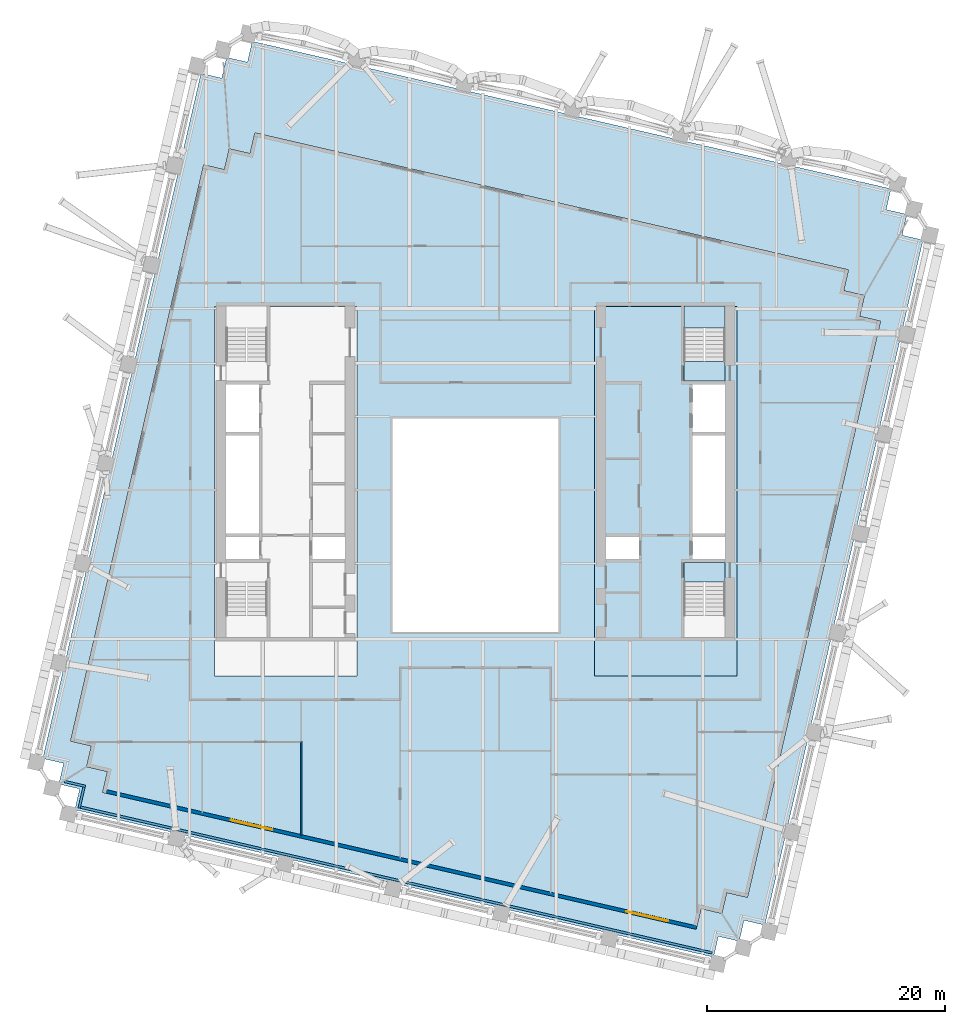
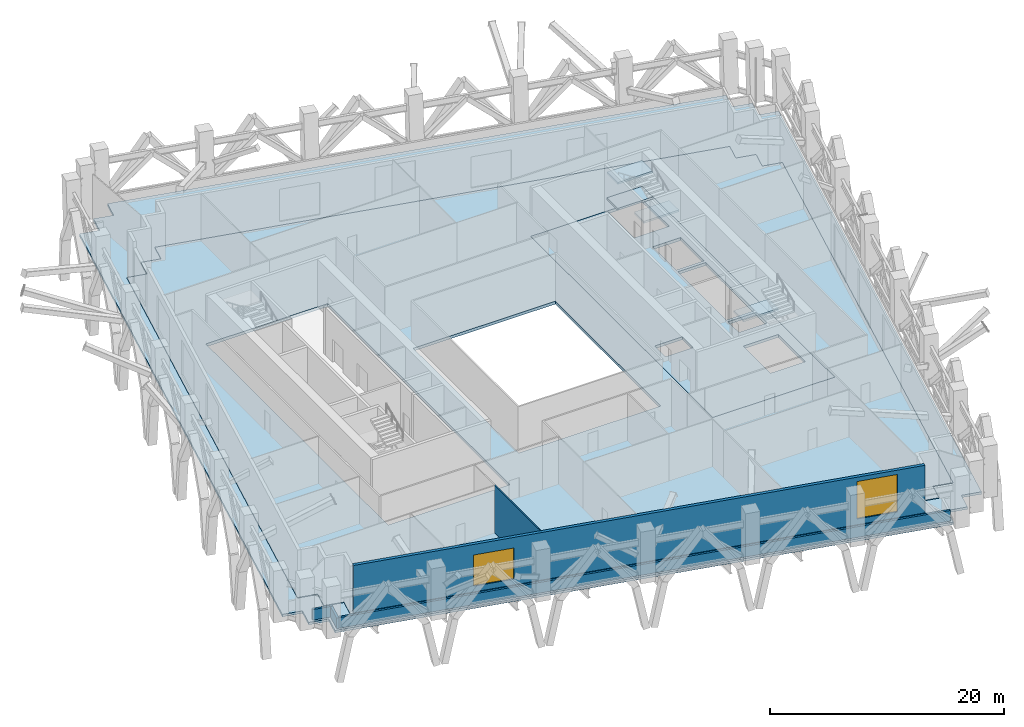
# One storey, part 5 of 20: 7 slabs, 5 walls, 2 windows, 2 openings, 2 elements without a shape of their own.
"""IFC4 building model written with IfcOpenShell, lengths in metres."""

import ifcopenshell
import ifcopenshell.guid

model = None  # the IFC model being written
_history = None  # IfcOwnerHistory: only IFC2X3 demands one
_inside = {}  # id of a spatial element -> (the spatial element, [elements in it])
_under = {}  # id of a project, library or spatial element -> (it, [spatial elements below it])
_declared = {}  # id of a project -> (the project, [libraries it declares])
_typed = {}  # id of a type object -> (the type object, [elements of that type])
_made_of = {}  # id of a material, layer set ... -> (it, [elements and type objects made of it])


def new_model(schema):
    """Start an empty IFC model of exactly this schema.

    Asked for "IFC4X3", IfcOpenShell would pick the latest addendum, in which some entities
    have other attributes; the version numbers below select the first issue.
    IFC2X3 requires an IfcOwnerHistory on every rooted entity: one is made here for all.
    """
    global model, _history
    if schema == "IFC4X3":
        model = ifcopenshell.file(schema_version=(4, 3, 0, 0))
    else:
        model = ifcopenshell.file(schema=schema)
    _inside.clear()
    _under.clear()
    _declared.clear()
    _typed.clear()
    _made_of.clear()
    _history = None
    if model.schema == "IFC2X3":
        org = make("IfcOrganization", Name="unknown")
        user = make(
            "IfcPersonAndOrganization",
            ThePerson=make("IfcPerson", FamilyName="unknown"),
            TheOrganization=org,
        )
        app = make(
            "IfcApplication",
            ApplicationDeveloper=org,
            Version="unknown",
            ApplicationFullName="unknown",
            ApplicationIdentifier="unknown",
        )
        _history = make(
            "IfcOwnerHistory",
            OwningUser=user,
            OwningApplication=app,
            ChangeAction="ADDED",
            CreationDate=0,
        )
    return model


def make(cls, **values):
    """One entity of the class cls with the attributes given. An attribute that is None is left unset."""
    return model.create_entity(
        cls, **{name: value for name, value in values.items() if value is not None}
    )


def rooted(cls, **values):
    """An entity with a GlobalId (a new one), such as an element, a storey or a relation."""
    return make(cls, GlobalId=ifcopenshell.guid.new(), OwnerHistory=_history, **values)


def si_unit(unit_type, name, prefix=None):
    """IfcSIUnit, for example si_unit("LENGTHUNIT", "METRE", prefix="MILLI")."""
    return make("IfcSIUnit", UnitType=unit_type, Prefix=prefix, Name=name)


def assignment(units):
    """IfcUnitAssignment: the units of a project."""
    return None if units is None else make("IfcUnitAssignment", Units=units)


def point(xyz):
    """IfcCartesianPoint."""
    return None if xyz is None else make("IfcCartesianPoint", Coordinates=xyz)


def direction(xyz):
    """IfcDirection."""
    return None if xyz is None else make("IfcDirection", DirectionRatios=xyz)


def frame(location, z_axis=None, x_axis=None):
    """IfcAxis2Placement3D, a coordinate frame: its origin and axes. An axis left out is left unset."""
    return make(
        "IfcAxis2Placement3D",
        Location=point(location),
        Axis=direction(z_axis),
        RefDirection=direction(x_axis),
    )


def frame_2d(location, x_axis=None):
    """IfcAxis2Placement2D, a coordinate frame in the plane: its origin and x axis."""
    return make(
        "IfcAxis2Placement2D", Location=point(location), RefDirection=direction(x_axis)
    )


def origin():
    """The frame at (0, 0, 0) with its axes left unset."""
    return frame((0.0, 0.0, 0.0))


def place(relative_to, where):
    """IfcLocalPlacement: puts the frame where relative to a parent placement (None: the world)."""
    return make(
        "IfcLocalPlacement", PlacementRelTo=relative_to, RelativePlacement=where
    )


def context(
    kind, dimensions, precision=None, world=None, true_north=None, identifier=None
):
    """IfcGeometricRepresentationContext, for example the 3D "Model" context."""
    return make(
        "IfcGeometricRepresentationContext",
        ContextIdentifier=identifier,
        ContextType=kind,
        CoordinateSpaceDimension=dimensions,
        Precision=precision,
        WorldCoordinateSystem=world,
        TrueNorth=true_north,
    )


def subcontext(parent, identifier, kind, view, scale=None):
    """IfcGeometricRepresentationSubContext, for example "Body" below "Model"."""
    return make(
        "IfcGeometricRepresentationSubContext",
        ContextIdentifier=identifier,
        ContextType=kind,
        ParentContext=parent,
        TargetScale=scale,
        TargetView=view,
    )


def project(units=None, contexts=None):
    """IfcProject with its units and contexts."""
    return rooted(
        "IfcProject",
        Name="project",
        RepresentationContexts=contexts,
        UnitsInContext=assignment(units),
    )


def spatial(cls, under=None, at=None, **own):
    """A site, building, storey or space (cls), placed at a placement, below another one or the project."""
    s = rooted(cls, ObjectPlacement=at, **own)
    if under is not None:
        _under.setdefault(under.id(), (under, []))[1].append(s)
    return s


def polyline(points):
    """IfcPolyline through the points."""
    return make("IfcPolyline", Points=[point(p) for p in points])


def profile(cls, at=None, kind="AREA", **sizes):
    """A parametric profile (cls). Its sizes go by their IFC names, for example OverallWidth=200.0."""
    return make(cls, ProfileType=kind, Position=at, **sizes)


def rectangle(**sizes):
    """IfcRectangleProfileDef."""
    return profile("IfcRectangleProfileDef", **sizes)


def outline(outer, holes=None, kind="AREA"):
    """IfcArbitraryClosedProfileDef: a profile drawn as a closed curve; with holes, ...WithVoids."""
    if holes is None:
        return make("IfcArbitraryClosedProfileDef", ProfileType=kind, OuterCurve=outer)
    return make(
        "IfcArbitraryProfileDefWithVoids",
        ProfileType=kind,
        OuterCurve=outer,
        InnerCurves=holes,
    )


def extrude(swept, where, along, depth):
    """IfcExtrudedAreaSolid: the profile swept, set in the frame where, extruded along a direction by depth."""
    return make(
        "IfcExtrudedAreaSolid",
        SweptArea=swept,
        Position=where,
        ExtrudedDirection=direction(along),
        Depth=depth,
    )


def shape(context_of_items, identifier, shape_type, items):
    """IfcShapeRepresentation: the items that make up one representation, for example the "Body"."""
    return make(
        "IfcShapeRepresentation",
        ContextOfItems=context_of_items,
        RepresentationIdentifier=identifier,
        RepresentationType=shape_type,
        Items=items,
    )


def material(Name=None, Category=None):
    """IfcMaterial."""
    return make("IfcMaterial", Name=Name, Category=Category)


def layer(
    of_material, thickness, ventilated=None, Name=None, Category=None, Priority=None
):
    """IfcMaterialLayer: one layer of a wall or slab, of a material (None: an air gap)."""
    return make(
        "IfcMaterialLayer",
        Material=of_material,
        LayerThickness=thickness,
        IsVentilated=ventilated,
        Name=Name,
        Category=Category,
        Priority=Priority,
    )


def layer_set(layers, Name=None):
    """IfcMaterialLayerSet."""
    return make("IfcMaterialLayerSet", MaterialLayers=layers, LayerSetName=Name)


def made_of(thing, what):
    """Note that an element or type object is made of a material, layer set ...; save() writes the relation."""
    if what is not None:
        _made_of.setdefault(what.id(), (what, []))[1].append(thing)
    return thing


def type_object(cls, material=None, **own):
    """A type object (cls), such as IfcWallType, which elements share."""
    return made_of(rooted(cls, **own), material)


def element(
    cls,
    number,
    at=None,
    inside=None,
    cuts=None,
    type_object=None,
    material=None,
    context=None,
    identifier="Body",
    shape_type=None,
    held_by="IfcProductDefinitionShape",
    body=None,
    shapes=None,
    **own,
):
    """One element of the class cls, such as IfcWall. Its Tag is "e" and its number.

    at: its placement. inside: the storey or other place that contains it. cuts: it is an
    opening in that element (IfcRelVoidsElement). A single representation is given by context,
    identifier, shape_type and body (its items); several are given by shapes. held_by: the class
    of the entity that holds the representations. save() writes the other relations.
    """
    e = rooted(cls, Tag="e%d" % number, ObjectPlacement=at, **own)
    if body is not None:
        shapes = [shape(context, identifier, shape_type, body)]
    if shapes is not None:
        e.Representation = make(held_by, Representations=shapes)
    if inside is not None:
        _inside.setdefault(inside.id(), (inside, []))[1].append(e)
    if cuts is not None:
        rooted(
            "IfcRelVoidsElement", RelatingBuildingElement=cuts, RelatedOpeningElement=e
        )
    if type_object is not None:
        _typed.setdefault(type_object.id(), (type_object, []))[1].append(e)
    return made_of(e, material)


def fill(opening, filler):
    """IfcRelFillsElement: the door or window that sits in an opening."""
    return rooted(
        "IfcRelFillsElement",
        RelatingOpeningElement=opening,
        RelatedBuildingElement=filler,
    )


def aggregate(whole, parts):
    """IfcRelAggregates: a whole, such as a stair, and the parts it consists of."""
    return rooted("IfcRelAggregates", RelatingObject=whole, RelatedObjects=parts)


def save(model, path):
    """Write the relations noted so far, then the file.

    IfcRelAggregates (storeys below a building ...), IfcRelContainedInSpatialStructure (elements
    in a storey), IfcRelDefinesByType, IfcRelAssociatesMaterial and IfcRelDeclares: one each for
    every whole, place, type object, material and project.
    """
    for whole, parts in _under.values():
        aggregate(whole, parts)
    for where, things in _inside.values():
        rooted(
            "IfcRelContainedInSpatialStructure",
            RelatedElements=things,
            RelatingStructure=where,
        )
    for kind, things in _typed.values():
        rooted("IfcRelDefinesByType", RelatedObjects=things, RelatingType=kind)
    for what, things in _made_of.values():
        rooted("IfcRelAssociatesMaterial", RelatedObjects=things, RelatingMaterial=what)
    for by, libraries in _declared.values():
        rooted("IfcRelDeclares", RelatingContext=by, RelatedDefinitions=libraries)
    model.write(path)


model = new_model("IFC4")

# Units and contexts
model_context = context("Model", 3, precision=1e-05, world=origin(), true_north=direction((0.0, 1.0)))
body_context = subcontext(model_context, "Body", "Model", "MODEL_VIEW")
ifc_project = project(units=[si_unit("LENGTHUNIT", "METRE"), si_unit("AREAUNIT", "SQUARE_METRE"), si_unit("VOLUMEUNIT", "CUBIC_METRE"), si_unit("PLANEANGLEUNIT", "RADIAN"), si_unit("MASSUNIT", "GRAM", prefix="KILO")], contexts=[model_context])

# Site, building, storey
site_placement = place(None, origin())
site = spatial("IfcSite", under=ifc_project, at=site_placement, CompositionType="ELEMENT")
building_placement = place(site_placement, origin())
building = spatial("IfcBuilding", under=site, at=building_placement, Name="Ogive Exchange Tower", CompositionType="ELEMENT")
storey_placement = place(building_placement, frame((0.0, 0.0, 160.199951171875)))
storey = spatial("IfcBuildingStorey", under=building, at=storey_placement, Name="L35", CompositionType="ELEMENT", Elevation=160.199951171875)

# Slabs
ifc_material_1 = material(Name="Concrete C50/60", Category="concrete")
ifc_layer_1 = layer(ifc_material_1, 0.300048828125)
ifc_layer_set_1 = layer_set([ifc_layer_1], Name="Composite floor slab 300")
slab_type_1 = type_object("IfcSlabType", Name="Composite floor slab 300", PredefinedType="FLOOR", material=ifc_layer_set_1)
slab_1_placement = place(storey_placement, frame((0.0, 0.0, -0.300048828125)))
element("IfcSlab", 1, at=slab_1_placement, inside=storey, type_object=slab_type_1, Name="Composite floor slab", PredefinedType="FLOOR", context=body_context, shape_type="SweptSolid", body=[
    extrude(outline(polyline([(-30.998779296875, -13.74560546875), (-32.752685546875, -13.3408203125), (-32.34765625, -11.5869140625), (-34.1015625, -11.181884765625), (-22.89892578125, 37.341552734375), (-21.145263671875, 36.936767578125), (-20.740234375, 38.690673828125), (-18.986328125, 38.28564453125), (-18.58154296875, 40.03955078125), (31.40380859375, 28.49951171875), (30.998779296875, 26.74560546875), (32.752685546875, 26.3408203125), (32.34765625, 24.5869140625), (34.1015625, 24.181884765625), (22.89892578125, -24.341552734375), (21.145263671875, -23.936767578125), (20.740234375, -25.690673828125), (18.986328125, -25.28564453125), (18.58154296875, -27.03955078125), (-31.40380859375, -15.49951171875), (-30.998779296875, -13.74560546875)]), holes=[polyline([(7.0, -2.0), (7.0, 16.0), (-7.0, 16.0), (-7.0, -2.0), (7.0, -2.0)]), polyline([(-22.0, -5.699951171875), (-10.0, -5.699951171875), (-10.0, 25.39990234375), (-22.0, 25.39990234375), (-22.0, -5.699951171875)]), polyline([(10.0, -5.699951171875), (22.0, -5.699951171875), (22.0, 25.39990234375), (10.0, 25.39990234375), (10.0, -5.699951171875)])]), origin(), (0.0, 0.0, 1.0), 0.300048828125),
])
ifc_material_2 = material(Name="Concrete C70/85", Category="concrete")
ifc_layer_2 = layer(ifc_material_2, 0.300048828125)
ifc_layer_set_2 = layer_set([ifc_layer_2], Name="Core floor slab 300")
slab_type_2 = type_object("IfcSlabType", Name="Core floor slab 300", PredefinedType="FLOOR", material=ifc_layer_set_2)
slab_2_placement = place(storey_placement, frame((0.0, 0.0, -0.300048828125)))
element("IfcSlab", 2, at=slab_2_placement, inside=storey, type_object=slab_type_2, Name="Core floor slab", PredefinedType="FLOOR", context=body_context, shape_type="SweptSolid", body=[
    extrude(outline(polyline([(22.0, 25.39990234375), (22.0, -5.699951171875), (10.0, -5.699951171875), (10.0, 25.39990234375), (17.550048828125, 25.39990234375), (17.550048828125, 20.803955078125), (21.0, 20.803955078125), (21.0, 25.39990234375), (22.0, 25.39990234375)]), holes=[polyline([(21.0, 2.196044921875), (17.550048828125, 2.196044921875), (17.550048828125, -2.449951171875), (21.0, -2.449951171875), (21.0, 2.196044921875)]), polyline([(13.75, 5.992919921875), (11.0, 5.992919921875), (11.0, 4.14990234375), (13.75, 4.14990234375), (13.75, 5.992919921875)]), polyline([(21.0, 5.992919921875), (18.25, 5.992919921875), (18.25, 4.14990234375), (21.0, 4.14990234375), (21.0, 5.992919921875)]), polyline([(18.25, 14.564208984375), (18.25, 6.29296875), (21.0, 6.29296875), (21.0, 14.564208984375), (18.25, 14.564208984375)]), polyline([(21.0, 18.85009765625), (18.25, 18.85009765625), (18.25, 14.8642578125), (21.0, 14.8642578125), (21.0, 18.85009765625)])]), origin(), (0.0, 0.0, 1.0), 0.300048828125),
])
ifc_layer_3 = layer(ifc_material_1, 0.25)
ifc_layer_set_3 = layer_set([ifc_layer_3], Name="Loggia deck 250")
slab_type_3 = type_object("IfcSlabType", Name="Loggia deck 250", PredefinedType="FLOOR", material=ifc_layer_set_3)
slab_3_placement = place(storey_placement, frame((0.0, 0.0, -0.300048828125)))
element("IfcSlab", 3, at=slab_3_placement, inside=storey, type_object=slab_type_3, Name="Loggia deck", PredefinedType="FLOOR", context=body_context, shape_type="SweptSolid", body=[
    extrude(outline(polyline([(-33.33740234375, -15.20703125), (-35.09130859375, -14.802001953125), (-34.686279296875, -13.04833984375), (-36.440185546875, -12.643310546875), (-23.12109375, 45.048095703125), (-21.3671875, 44.643310546875), (-20.96240234375, 46.397216796875), (-19.20849609375, 45.9921875), (-18.8037109375, 47.74609375), (34.981689453125, 35.328857421875), (34.57666015625, 33.574951171875), (36.33056640625, 33.169921875), (35.92578125, 31.416259765625), (37.6796875, 31.01123046875), (24.3603515625, -26.680419921875), (22.6064453125, -26.275390625), (22.20166015625, -28.029296875), (20.44775390625, -27.62451171875), (20.04296875, -29.378173828125), (-33.742431640625, -16.9609375), (-33.33740234375, -15.20703125)]), holes=[polyline([(18.986328125, -25.28564453125), (20.740234375, -25.690673828125), (21.145263671875, -23.936767578125), (22.89892578125, -24.341552734375), (34.1015625, 24.181884765625), (32.34765625, 24.5869140625), (32.752685546875, 26.3408203125), (30.998779296875, 26.74560546875), (31.40380859375, 28.49951171875), (-18.58154296875, 40.03955078125), (-18.986328125, 38.28564453125), (-20.740234375, 38.690673828125), (-21.145263671875, 36.936767578125), (-22.89892578125, 37.341552734375), (-34.1015625, -11.181884765625), (-32.34765625, -11.5869140625), (-32.752685546875, -13.3408203125), (-30.998779296875, -13.74560546875), (-31.40380859375, -15.49951171875), (18.58154296875, -27.03955078125), (18.986328125, -25.28564453125)])]), origin(), (0.0, 0.0, 1.0), 0.25),
])

# Stair, slab
ifc_material_3 = material(Name="Concrete C40/50", Category="concrete")
stair_type = type_object("IfcStairType", Name="Exit stair 1650 wide", PredefinedType="HALF_TURN_STAIR", material=ifc_material_3)
stair_1_placement = place(storey_placement, origin())
stair_1 = element("IfcStair", 4, at=stair_1_placement, inside=storey, type_object=stair_type, Name="L35 exit stair ST3", PredefinedType="HALF_TURN_STAIR")
ifc_layer_4 = layer(ifc_material_3, 0.199951171875)
ifc_layer_set_4 = layer_set([ifc_layer_4], Name="Stair landing 200 slab")
slab_type_4 = type_object("IfcSlabType", Name="Stair landing 200 slab", PredefinedType="LANDING", material=ifc_layer_set_4)
slab_4_placement = place(storey_placement, frame((0.0, 0.0, 2.5)))
slab_4 = element("IfcSlab", 5, at=slab_4_placement, type_object=slab_type_4, Name="ST3 landing 2", PredefinedType="LANDING", context=body_context, shape_type="SweptSolid", body=[
    extrude(outline(polyline([(17.550048828125, 3.85009765625), (17.550048828125, 2.199951171875), (21.0, 2.199951171875), (21.0, 3.85009765625), (17.550048828125, 3.85009765625)])), origin(), (0.0, 0.0, 1.0), 0.199951171875),
])
aggregate(stair_1, [slab_4])

# Stair, slabs
stair_2_placement = place(storey_placement, origin())
stair_2 = element("IfcStair", 6, at=stair_2_placement, inside=storey, type_object=stair_type, Name="L35 exit stair ST4", PredefinedType="HALF_TURN_STAIR")
slab_5_placement = place(storey_placement, frame((0.0, 0.0, 1.150146484375)))
slab_5 = element("IfcSlab", 7, at=slab_5_placement, type_object=slab_type_4, Name="ST4 landing 1", PredefinedType="LANDING", context=body_context, shape_type="SweptSolid", body=[
    extrude(outline(polyline([(21.0, 23.60791015625), (21.0, 25.449951171875), (17.550048828125, 25.449951171875), (17.550048828125, 23.60791015625), (21.0, 23.60791015625)])), origin(), (0.0, 0.0, 1.0), 0.199951171875),
])
slab_6_placement = place(storey_placement, frame((0.0, 0.0, 2.5)))
slab_6 = element("IfcSlab", 8, at=slab_6_placement, type_object=slab_type_4, Name="ST4 landing 2", PredefinedType="LANDING", context=body_context, shape_type="SweptSolid", body=[
    extrude(outline(polyline([(21.0, 19.14990234375), (21.0, 20.800048828125), (17.550048828125, 20.800048828125), (17.550048828125, 19.14990234375), (21.0, 19.14990234375)])), origin(), (0.0, 0.0, 1.0), 0.199951171875),
])
slab_7_placement = place(storey_placement, frame((0.0, 0.0, 3.85009765625)))
slab_7 = element("IfcSlab", 9, at=slab_7_placement, type_object=slab_type_4, Name="ST4 landing 3", PredefinedType="LANDING", context=body_context, shape_type="SweptSolid", body=[
    extrude(outline(polyline([(21.0, 23.60791015625), (21.0, 25.449951171875), (17.550048828125, 25.449951171875), (17.550048828125, 23.60791015625), (21.0, 23.60791015625)])), origin(), (0.0, 0.0, 1.0), 0.199951171875),
])
aggregate(stair_2, [slab_5, slab_6, slab_7])

# Wall, openings, windows
ifc_material_4 = material(Name="Precast concrete C40/50", Category="concrete")
ifc_layer_5 = layer(ifc_material_4, 0.300048828125)
ifc_layer_set_5 = layer_set([ifc_layer_5], Name="Limestone-faced wall 300")
wall_type_1 = type_object("IfcWallType", Name="Limestone-faced wall 300", PredefinedType="STANDARD", material=ifc_layer_set_5)
wall_1_placement = place(storey_placement, frame((-31.07763671875, -15.4208984375, 0.0), z_axis=(0.0, 0.0, 1.0), x_axis=(0.974370456532, -0.224949357493, 0.0)))
wall_1 = element("IfcWall", 10, at=wall_1_placement, inside=storey, type_object=wall_type_1, Name="External wall S1", PredefinedType="STANDARD", context=body_context, shape_type="SweptSolid", body=[
    extrude(rectangle(XDim=51.0, YDim=0.300048828125, at=frame_2d((25.5, 0.0))), origin(), (0.0, 0.0, 1.0), 4.949951171875),
])
opening_1_placement = place(wall_1_placement, frame((10.72509765625, 0.0, 0.60009765625)))
opening_1 = element("IfcOpeningElement", 11, at=opening_1_placement, cuts=wall_1, Name="Opening LV1H", PredefinedType="OPENING", context=body_context, shape_type="SweptSolid", body=[
    extrude(rectangle(XDim=3.60009765625, YDim=3.25, at=frame_2d((1.800048828125, 1.625))), frame((0.0, 0.159912109375, 0.0), z_axis=(0.0, -1.0, 0.0), x_axis=(1.0, 0.0, 0.0)), (0.0, 0.0, 1.0), 0.320068359375),
])
opening_2_placement = place(wall_1_placement, frame((44.925048828125, 0.0, 0.60009765625)))
opening_2 = element("IfcOpeningElement", 12, at=opening_2_placement, cuts=wall_1, Name="Opening LV1", PredefinedType="OPENING", context=body_context, shape_type="SweptSolid", body=[
    extrude(rectangle(XDim=3.60009765625, YDim=3.89990234375, at=frame_2d((1.800048828125, 1.949951171875))), frame((0.0, 0.159912109375, 0.0), z_axis=(0.0, -1.0, 0.0), x_axis=(1.0, 0.0, 0.0)), (0.0, 0.0, 1.0), 0.320068359375),
])
ifc_material_5 = material(Name="Anodised aluminium louvre", Category="aluminium")
window_type_1 = type_object("IfcWindowType", Name="Plant louvre 3600 x 3250", PartitioningType="DOUBLE_PANEL_HORIZONTAL", PredefinedType="WINDOW", material=ifc_material_5)
window_1_placement = place(opening_1_placement, origin())
window_1 = element("IfcWindow", 13, at=window_1_placement, inside=storey, type_object=window_type_1, Name="Louvre S01", OverallHeight=3.25, OverallWidth=3.60009765625, PartitioningType="DOUBLE_PANEL_HORIZONTAL", PredefinedType="WINDOW", context=body_context, shape_type="SweptSolid", body=[
    extrude(rectangle(XDim=3.60009765625, YDim=3.25, at=frame_2d((1.800048828125, 1.625))), frame((0.0, 0.030029296875, 0.0), z_axis=(0.0, -1.0, 0.0), x_axis=(1.0, 0.0, 0.0)), (0.0, 0.0, 1.0), 0.06005859375),
])
fill(opening_1, window_1)
window_type_2 = type_object("IfcWindowType", Name="Plant louvre 3600 x 3900", PartitioningType="DOUBLE_PANEL_HORIZONTAL", PredefinedType="WINDOW", material=ifc_material_5)
window_2_placement = place(opening_2_placement, origin())
window_2 = element("IfcWindow", 14, at=window_2_placement, inside=storey, type_object=window_type_2, Name="Louvre S05", OverallHeight=3.89990234375, OverallWidth=3.60009765625, PartitioningType="DOUBLE_PANEL_HORIZONTAL", PredefinedType="WINDOW", context=body_context, shape_type="SweptSolid", body=[
    extrude(rectangle(XDim=3.60009765625, YDim=3.89990234375, at=frame_2d((1.800048828125, 1.949951171875))), frame((0.0, 0.030029296875, 0.0), z_axis=(0.0, -1.0, 0.0), x_axis=(1.0, 0.0, 0.0)), (0.0, 0.0, 1.0), 0.06005859375),
])
fill(opening_2, window_2)

# Walls
ifc_material_6 = material(Name="Partition 100 gypsum")
ifc_layer_6 = layer(ifc_material_6, 0.10009765625)
ifc_layer_set_6 = layer_set([ifc_layer_6], Name="Partition 100 gypsum")
wall_type_2 = type_object("IfcWallType", Name="Partition 100 gypsum", PredefinedType="PARTITIONING", material=ifc_layer_set_6)
wall_2_placement = place(storey_placement, frame((-14.669921875, -19.137939453125, 0.0), z_axis=(0.0, 0.0, 1.0), x_axis=(0.0, 1.0, 0.0)))
element("IfcWall", 15, at=wall_2_placement, inside=storey, type_object=wall_type_2, Name="L35-PWL-011", PredefinedType="PARTITIONING", context=body_context, shape_type="SweptSolid", body=[
    extrude(rectangle(XDim=7.93798828125, YDim=0.10009765625, at=frame_2d((3.968994140625, 0.0))), origin(), (0.0, 0.0, 1.0), 4.949951171875),
])
ifc_layer_7 = layer(ifc_material_4, 0.199951171875)
ifc_layer_set_7 = layer_set([ifc_layer_7], Name="Plant deck parapet 200")
wall_type_3 = type_object("IfcWallType", Name="Plant deck parapet 200", PredefinedType="STANDARD", material=ifc_layer_set_7)
wall_3_placement = place(storey_placement, frame((-33.26123046875, -16.74365234375, -0.050048828125), z_axis=(0.0, 0.0, 1.0), x_axis=(0.974370602864, -0.224948723658, 0.0)))
element("IfcWall", 16, at=wall_3_placement, inside=storey, type_object=wall_type_3, Name="Plant deck parapet 1", PredefinedType="STANDARD", context=body_context, shape_type="SweptSolid", body=[
    extrude(rectangle(XDim=54.56005859375, YDim=0.199951171875, at=frame_2d((27.280029296875, 0.0))), origin(), (0.0, 0.0, 1.0), 1.10009765625),
])
for number, where, z_axis, x_axis, name in (
    (17, (-34.610107421875, -14.584716796875, -0.050048828125), (0.0, 0.0, 1.0), (0.974356896201, -0.225008086135, 0.0), "Plant deck parapet 19"),
    (18, (-32.976318359375, -15.064697265625, -0.050048828125), (0.0, 0.0, 1.0), (-0.224879318197, -0.974386623598, 0.0), "Plant deck parapet 20"),
):
    element("IfcWall", number, at=place(storey_placement, frame(where, z_axis=z_axis, x_axis=x_axis)), inside=storey, type_object=wall_type_3, Name=name, PredefinedType="STANDARD", context=body_context, shape_type="SweptSolid", body=[
        extrude(rectangle(XDim=1.800048828125, YDim=0.199951171875, at=frame_2d((0.89990234375, 0.0))), origin(), (0.0, 0.0, 1.0), 1.10009765625),
    ])

save(model, "model.ifc")
